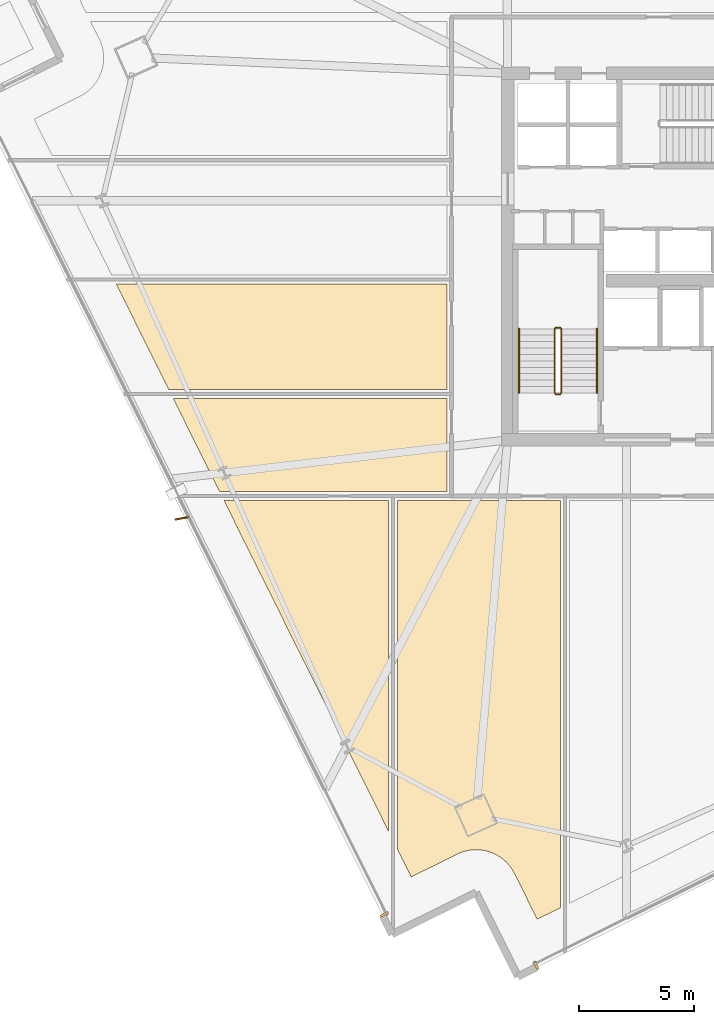
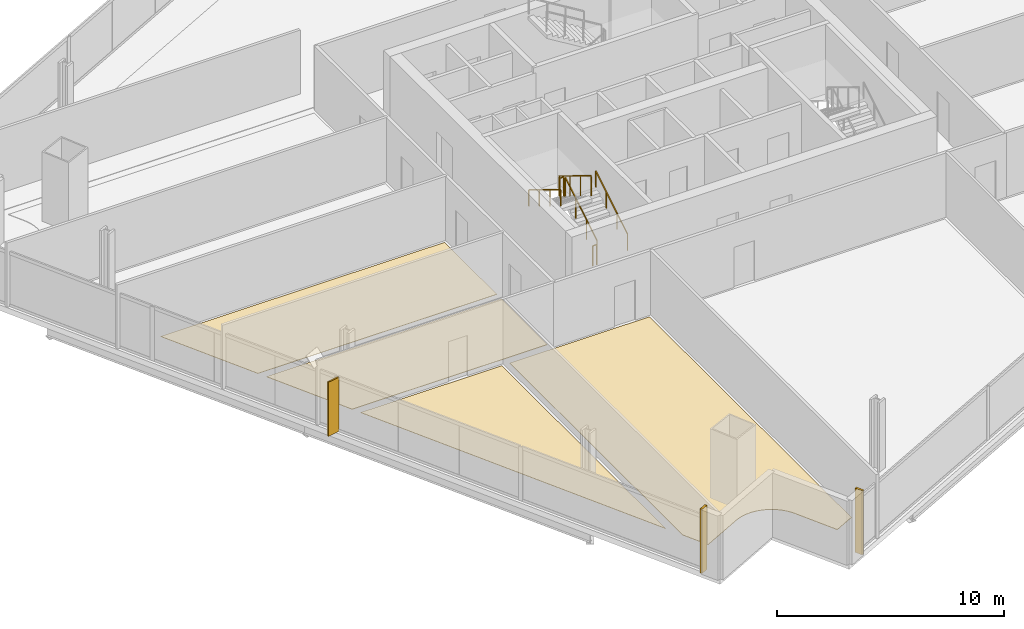
# One storey, part 29 of 35: 6 coverings, 6 railings, 1 shading device.
"""IFC4 building model written with IfcOpenShell, lengths in metres."""

from ifc_helpers import new_model, si_unit, direction, frame, origin, origin_2d, place, context, subcontext, project, spatial, polyline, rectangle, outline, extrude, source, transform, mapped, material, layer, layer_set, type_object, element, save


model = new_model("IFC4")

# Units and contexts
model_context = context("Model", 3, precision=1e-05, world=origin(), true_north=direction((0.0, 1.0)))
body_context = subcontext(model_context, "Body", "Model", "MODEL_VIEW")
ifc_project = project(units=[si_unit("LENGTHUNIT", "METRE"), si_unit("AREAUNIT", "SQUARE_METRE"), si_unit("VOLUMEUNIT", "CUBIC_METRE"), si_unit("PLANEANGLEUNIT", "RADIAN"), si_unit("MASSUNIT", "GRAM", prefix="KILO")], contexts=[model_context])

# Site, building, storey
site_placement = place(None, origin())
site = spatial("IfcSite", under=ifc_project, at=site_placement, CompositionType="ELEMENT")
building_placement = place(site_placement, origin())
building = spatial("IfcBuilding", under=site, at=building_placement, Name="Haldenkirk Collegiate Tower", CompositionType="ELEMENT")
storey_placement = place(building_placement, frame((0.0, 0.0, 116.699951171875)))
storey = spatial("IfcBuildingStorey", under=building, at=storey_placement, Name="L28", CompositionType="ELEMENT", Elevation=116.699951171875)

# Coverings
ifc_material_1 = material(Name="Polished collegiate terrazzo", Category="concrete")
ifc_layer_1 = layer(ifc_material_1, 0.02490234375)
ifc_layer_set_1 = layer_set([ifc_layer_1], Name="Polished collegiate terrazzo")
covering_type_1 = type_object("IfcCoveringType", Name="COV-FLOOR-TERRAZZO", PredefinedType="FLOORING", material=ifc_layer_set_1)
covering_1_placement = place(storey_placement, origin())
element("IfcCovering", 1, at=covering_1_placement, inside=storey, type_object=covering_type_1, Name="L28 academic room finish 02", PredefinedType="FLOORING", context=body_context, shape_type="SweptSolid", body=[
    extrude(outline(polyline([(26.857421875, -0.344970703125), (26.848388671875, -0.337158203125), (26.71337890625, -0.23095703125), (26.703857421875, -0.22412109375), (26.55908203125, -0.131591796875), (26.548828125, -0.125732421875), (26.39599609375, -0.0478515625), (26.38525390625, -0.04296875), (26.22509765625, 0.019775390625), (26.214111328125, 0.0234375), (26.048828125, 0.070068359375), (26.037109375, 0.072509765625), (25.8681640625, 0.102783203125), (25.856689453125, 0.104248046875), (25.685302734375, 0.11767578125), (25.673583984375, 0.1181640625), (25.501708984375, 0.114501953125), (25.489990234375, 0.11376953125), (25.319580078125, 0.093505859375), (25.30810546875, 0.091552734375), (25.140380859375, 0.0546875), (25.12890625, 0.0517578125), (24.965576171875, -0.00146484375), (24.95458984375, -0.005615234375), (24.797119140625, -0.074462890625), (24.7919921875, -0.076904296875), (22.79541015625, -1.0703125), (22.199951171875, 0.12646484375), (22.199951171875, 15.35009765625), (29.300048828125, 15.35009765625), (29.300048828125, -2.41357421875), (28.292236328125, -2.914794921875), (27.299072265625, -0.918212890625), (27.29638671875, -0.9130859375), (27.21240234375, -0.76318359375), (27.2060546875, -0.753173828125), (27.10791015625, -0.6123046875), (27.1005859375, -0.60302734375), (26.989013671875, -0.472412109375), (26.981201171875, -0.464111328125), (26.857421875, -0.344970703125)])), origin(), (0.0, 0.0, 1.0), 0.025146484375),
])
covering_2_placement = place(storey_placement, origin())
element("IfcCovering", 2, at=covering_2_placement, inside=storey, type_object=covering_type_1, Name="L28 academic room finish 06", PredefinedType="FLOORING", context=body_context, shape_type="SweptSolid", body=[
    extrude(outline(polyline([(12.41259765625, 19.800048828125), (24.35009765625, 19.800048828125), (24.35009765625, 15.75), (14.427490234375, 15.75), (12.41259765625, 19.800048828125)])), origin(), (0.0, 0.0, 1.0), 0.025146484375),
])
ifc_material_2 = material(Name="Engineered collegiate oak acoustic flooring", Category="wood")
ifc_layer_2 = layer(ifc_material_2, 0.02197265625)
ifc_layer_set_2 = layer_set([ifc_layer_2], Name="Engineered collegiate oak acoustic flooring")
covering_type_2 = type_object("IfcCoveringType", Name="COV-FLOOR-TIMBER", PredefinedType="FLOORING", material=ifc_layer_set_2)
covering_3_placement = place(storey_placement, origin())
element("IfcCovering", 3, at=covering_3_placement, inside=storey, type_object=covering_type_2, Name="L28 academic room finish 01", PredefinedType="FLOORING", context=body_context, shape_type="SweptSolid", body=[
    extrude(outline(polyline([(14.62646484375, 15.35009765625), (21.800048828125, 15.35009765625), (21.800048828125, 0.930419921875), (14.62646484375, 15.35009765625)])), origin(), (0.0, 0.0, 1.0), 0.02197265625),
])
covering_4_placement = place(storey_placement, origin())
element("IfcCovering", 4, at=covering_4_placement, inside=storey, type_object=covering_type_2, Name="L28 academic room finish 07", PredefinedType="FLOORING", context=body_context, shape_type="SweptSolid", body=[
    extrude(outline(polyline([(9.925048828125, 24.800048828125), (24.35009765625, 24.800048828125), (24.35009765625, 20.199951171875), (12.21337890625, 20.199951171875), (9.925048828125, 24.800048828125)])), origin(), (0.0, 0.0, 1.0), 0.02197265625),
])

# Railings
ifc_material_3 = material(Name="Painted architectural tubular steel", Category="steel")
railing_type_1 = type_object("IfcRailingType", Name="RLG-STAIR-GUARD-1100", PredefinedType="BALUSTRADE", material=ifc_material_3)
railing_1_placement = place(storey_placement, frame((29.35009765625, 20.050048828125, 0.17041015625)))
element("IfcRailing", 5, at=railing_1_placement, inside=storey, type_object=railing_type_1, Name="L28 ST-1 stair guard 1", PredefinedType="BALUSTRADE", context=body_context, shape_type="SweptSolid", body=[
    extrude(rectangle(XDim=0.048095703125, YDim=0.048095703125, at=origin_2d()), frame((0.0, 0.0, 1.076171875), z_axis=(0.0, 0.854169791009, 0.51999420009), x_axis=(-1.0, 0.0, 0.0)), (0.0, 0.0, 1.0), 3.278076171875),
    extrude(rectangle(XDim=0.0419921875, YDim=0.0419921875, at=origin_2d()), origin(), (0.0, 0.0, 1.0), 1.052001953125),
    extrude(rectangle(XDim=0.0419921875, YDim=0.0419921875, at=origin_2d()), frame((0.0, 0.933349609375, 0.568115234375)), (0.0, 0.0, 1.0), 1.052001953125),
    extrude(rectangle(XDim=0.0419921875, YDim=0.0419921875, at=origin_2d()), frame((0.0, 1.86669921875, 1.136474609375)), (0.0, 0.0, 1.0), 1.052001953125),
    extrude(rectangle(XDim=0.0419921875, YDim=0.0419921875, at=origin_2d()), frame((0.0, 2.800048828125, 1.70458984375)), (0.0, 0.0, 1.0), 1.052001953125),
])
railing_2_placement = place(storey_placement, frame((29.300048828125, 22.89990234375, 1.875)))
element("IfcRailing", 6, at=railing_2_placement, inside=storey, type_object=railing_type_1, Name="L28 ST-1 stair guard 2", PredefinedType="BALUSTRADE", context=body_context, shape_type="SweptSolid", body=[
    extrude(rectangle(XDim=0.048095703125, YDim=0.048095703125, at=origin_2d()), frame((0.0, 0.0, 1.076171875), z_axis=(-1.0, 0.0, 0.0), x_axis=(0.0, -1.0, 0.0)), (0.0, 0.0, 1.0), 0.199951171875),
    extrude(rectangle(XDim=0.0419921875, YDim=0.0419921875, at=origin_2d()), origin(), (0.0, 0.0, 1.0), 1.052001953125),
    extrude(rectangle(XDim=0.0419921875, YDim=0.0419921875, at=origin_2d()), frame((-0.199951171875, 0.0, 0.0)), (0.0, 0.0, 1.0), 1.052001953125),
])
railing_3_placement = place(storey_placement, frame((29.050048828125, 22.85009765625, 2.04541015625)))
element("IfcRailing", 7, at=railing_3_placement, inside=storey, type_object=railing_type_1, Name="L28 ST-1 stair guard 3", PredefinedType="BALUSTRADE", context=body_context, shape_type="SweptSolid", body=[
    extrude(rectangle(XDim=0.048095703125, YDim=0.048095703125, at=origin_2d()), frame((0.0, 0.0, 1.076171875), z_axis=(0.0, -0.854169791009, 0.51999420009), x_axis=(1.0, 0.0, 0.0)), (0.0, 0.0, 1.0), 3.278076171875),
    extrude(rectangle(XDim=0.0419921875, YDim=0.0419921875, at=origin_2d()), origin(), (0.0, 0.0, 1.0), 1.052001953125),
    extrude(rectangle(XDim=0.0419921875, YDim=0.0419921875, at=origin_2d()), frame((0.0, -0.933349609375, 0.568115234375)), (0.0, 0.0, 1.0), 1.052001953125),
    extrude(rectangle(XDim=0.0419921875, YDim=0.0419921875, at=origin_2d()), frame((0.0, -1.86669921875, 1.136474609375)), (0.0, 0.0, 1.0), 1.052001953125),
    extrude(rectangle(XDim=0.0419921875, YDim=0.0419921875, at=origin_2d()), frame((0.0, -2.800048828125, 1.70458984375)), (0.0, 0.0, 1.0), 1.052001953125),
])
railing_4_placement = place(storey_placement, frame((29.300048828125, 20.0, 0.0)))
element("IfcRailing", 8, at=railing_4_placement, inside=storey, type_object=railing_type_1, Name="L28 ST-1 stair guard 4", PredefinedType="BALUSTRADE", context=body_context, shape_type="SweptSolid", body=[
    extrude(rectangle(XDim=0.048095703125, YDim=0.048095703125, at=origin_2d()), frame((0.0, 0.0, 1.076171875), z_axis=(-1.0, 0.0, 0.0), x_axis=(0.0, -1.0, 0.0)), (0.0, 0.0, 1.0), 0.199951171875),
    extrude(rectangle(XDim=0.0419921875, YDim=0.0419921875, at=origin_2d()), origin(), (0.0, 0.0, 1.0), 1.052001953125),
    extrude(rectangle(XDim=0.0419921875, YDim=0.0419921875, at=origin_2d()), frame((-0.199951171875, 0.0, 0.0)), (0.0, 0.0, 1.0), 1.052001953125),
])
railing_type_2 = type_object("IfcRailingType", Name="RLG-STAIR-HANDRAIL-900", PredefinedType="HANDRAIL", material=ifc_material_3)
railing_5_placement = place(storey_placement, frame((30.89990234375, 20.050048828125, 0.17041015625)))
element("IfcRailing", 9, at=railing_5_placement, inside=storey, type_object=railing_type_2, Name="L28 ST-1 stair handrail 1", PredefinedType="HANDRAIL", context=body_context, shape_type="SweptSolid", body=[
    extrude(rectangle(XDim=0.048095703125, YDim=0.048095703125, at=origin_2d()), frame((0.0, 0.0, 0.8759765625), z_axis=(0.0, 0.854169791009, 0.51999420009), x_axis=(-1.0, 0.0, 0.0)), (0.0, 0.0, 1.0), 3.278076171875),
    extrude(rectangle(XDim=0.0419921875, YDim=0.0419921875, at=origin_2d()), origin(), (0.0, 0.0, 1.0), 0.851806640625),
    extrude(rectangle(XDim=0.0419921875, YDim=0.0419921875, at=origin_2d()), frame((0.0, 0.933349609375, 0.568115234375)), (0.0, 0.0, 1.0), 0.851806640625),
    extrude(rectangle(XDim=0.0419921875, YDim=0.0419921875, at=origin_2d()), frame((0.0, 1.86669921875, 1.136474609375)), (0.0, 0.0, 1.0), 0.851806640625),
    extrude(rectangle(XDim=0.0419921875, YDim=0.0419921875, at=origin_2d()), frame((0.0, 2.800048828125, 1.70458984375)), (0.0, 0.0, 1.0), 0.851806640625),
])
railing_6_placement = place(storey_placement, frame((27.5, 22.85009765625, 2.04541015625)))
element("IfcRailing", 10, at=railing_6_placement, inside=storey, type_object=railing_type_2, Name="L28 ST-1 stair handrail 2", PredefinedType="HANDRAIL", context=body_context, shape_type="SweptSolid", body=[
    extrude(rectangle(XDim=0.048095703125, YDim=0.048095703125, at=origin_2d()), frame((0.0, 0.0, 0.8759765625), z_axis=(0.0, -0.854169791009, 0.51999420009), x_axis=(1.0, 0.0, 0.0)), (0.0, 0.0, 1.0), 3.278076171875),
    extrude(rectangle(XDim=0.0419921875, YDim=0.0419921875, at=origin_2d()), origin(), (0.0, 0.0, 1.0), 0.851806640625),
    extrude(rectangle(XDim=0.0419921875, YDim=0.0419921875, at=origin_2d()), frame((0.0, -0.933349609375, 0.568115234375)), (0.0, 0.0, 1.0), 0.851806640625),
    extrude(rectangle(XDim=0.0419921875, YDim=0.0419921875, at=origin_2d()), frame((0.0, -1.86669921875, 1.136474609375)), (0.0, 0.0, 1.0), 0.851806640625),
    extrude(rectangle(XDim=0.0419921875, YDim=0.0419921875, at=origin_2d()), frame((0.0, -2.800048828125, 1.70458984375)), (0.0, 0.0, 1.0), 0.851806640625),
])

# Coverings
ifc_material_4 = material(Name="Anodised architectural bronze aluminium", Category="aluminium")
ifc_layer_3 = layer(ifc_material_4, 0.06005859375)
ifc_layer_set_3 = layer_set([ifc_layer_3], Name="Anodised architectural bronze aluminium")
covering_type_3 = type_object("IfcCoveringType", Name="COV-CLAD-BRONZE-60", PredefinedType="CLADDING", material=ifc_layer_set_3)
shared_shape_1 = source(origin(), body_context, "Body", "SweptSolid", [
    extrude(rectangle(XDim=0.10009765625, YDim=0.3798828125, at=origin_2d()), origin(), (0.0, 0.0, 1.0), 3.449951171875),
])
for number, where, z_axis, x_axis, name in (
    (11, (28.24365234375, -4.92724609375, 0.0), (0.0, 0.0, 1.0), (-0.895323401835, -0.445416665749, 0.0), "L28 recessed curtain-wall bronze jamb closure SJR"),
    (12, (21.620361328125, -2.70458984375, 0.0), (0.0, 0.0, 1.0), (-0.445416665749, 0.895323401835, 0.0), "L28 recessed curtain-wall bronze jamb closure WJL"),
):
    element("IfcCovering", number, at=place(storey_placement, frame(where, z_axis=z_axis, x_axis=x_axis)), inside=storey, type_object=covering_type_3, Name=name, PredefinedType="CLADDING", context=body_context, shape_type="MappedRepresentation", body=[
        mapped(shared_shape_1, transform((0.0, 0.0, 0.0), x_axis=(1.0, 0.0, 0.0), y_axis=(0.0, 1.0, 0.0), z_axis=(0.0, 0.0, 1.0), scale=1.0)),
    ])

# Shading device
ifc_layer_4 = layer(ifc_material_4, 0.06494140625)
ifc_layer_set_4 = layer_set([ifc_layer_4], Name="Anodised architectural bronze aluminium")
shading_device_type = type_object("IfcShadingDeviceType", Name="SHD-FIN-BRONZE-620", PredefinedType="USERDEFINED", material=ifc_layer_set_4)
shared_shape_2 = source(origin(), body_context, "Body", "SweptSolid", [
    extrude(rectangle(XDim=0.6201171875, YDim=0.06494140625, at=origin_2d()), origin(), (0.0, 0.0, 1.0), 2.90087890625),
])
shading_device_placement = place(storey_placement, frame((12.79248046875, 14.580078125, 0.0), z_axis=(0.0, 0.0, 1.0), x_axis=(-0.983413563645, -0.181377404435, 0.0)))
element("IfcShadingDevice", 13, at=shading_device_placement, inside=storey, type_object=shading_device_type, Name="L28 folded bronze solar fin 1", ObjectType="FIN", PredefinedType="USERDEFINED", context=body_context, shape_type="MappedRepresentation", body=[
    mapped(shared_shape_2, transform((0.0, 0.0, 0.0), x_axis=(1.0, 0.0, 0.0), y_axis=(0.0, 1.0, 0.0), z_axis=(0.0, 0.0, 1.0), scale=1.0)),
])

save(model, "model.ifc")
